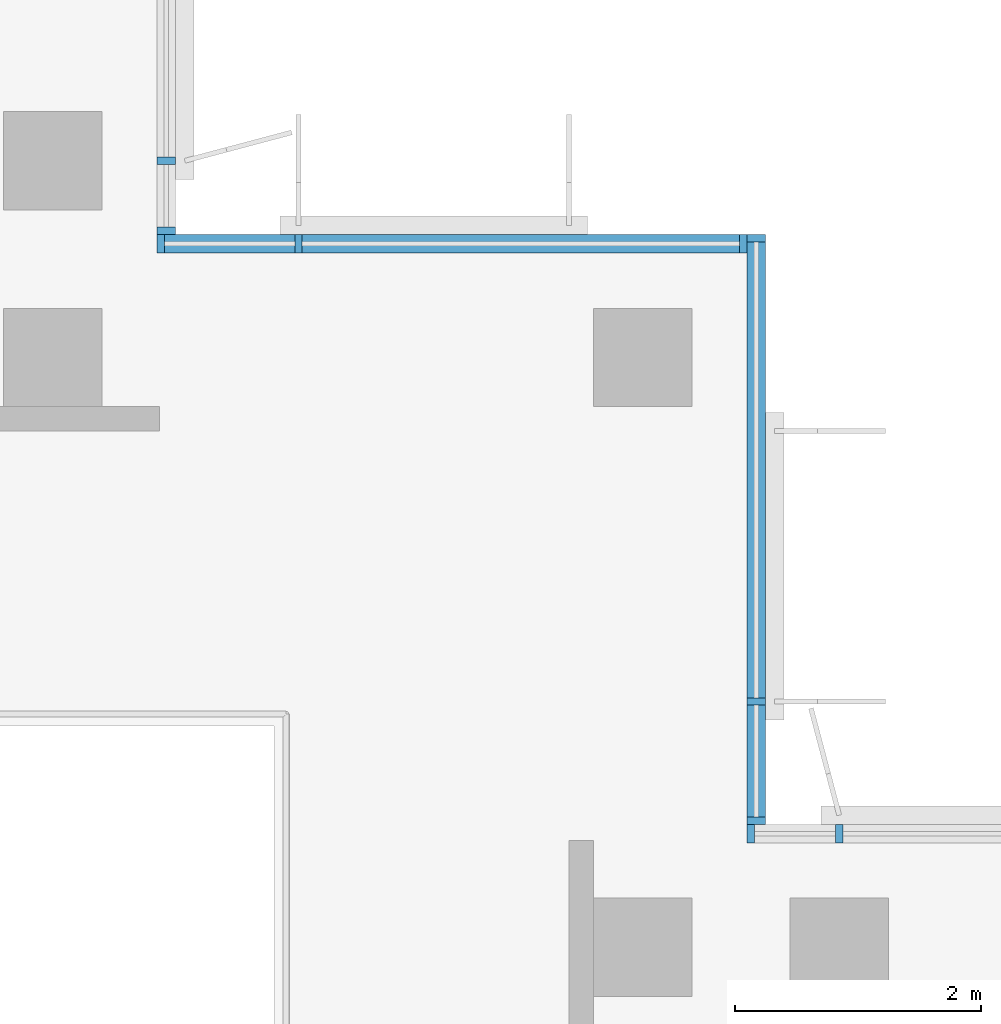
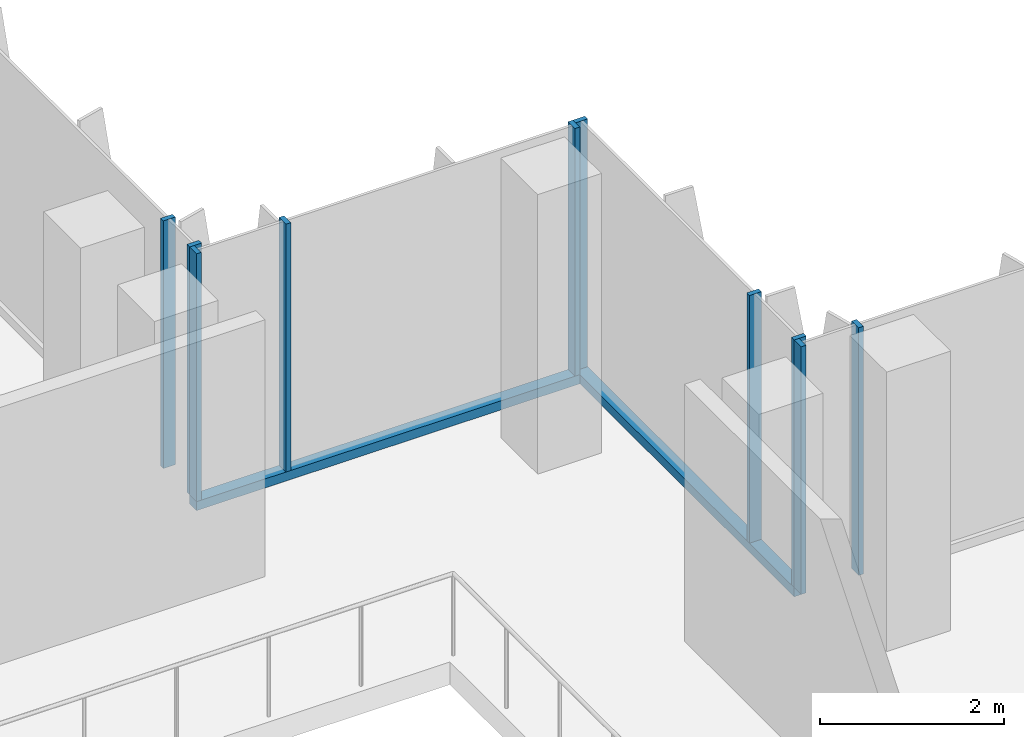
# One storey, part 2 of 15: 12 members, 4 elements without a shape of their own.
"""IFC4 building model written with IfcOpenShell, lengths in metres."""

from ifc_helpers import new_model, si_unit, direction, frame, origin, origin_2d, place, context, subcontext, project, spatial, rectangle, extrude, source, transform, mapped, material, material_profile, profile_set, type_object, element, aggregate, save


model = new_model("IFC4")

# Units and contexts
model_context = context("Model", 3, precision=1e-05, world=origin(), true_north=direction((0.0, 1.0)))
body_context = subcontext(model_context, "Body", "Model", "MODEL_VIEW")
ifc_project = project(units=[si_unit("LENGTHUNIT", "METRE"), si_unit("AREAUNIT", "SQUARE_METRE"), si_unit("VOLUMEUNIT", "CUBIC_METRE"), si_unit("PLANEANGLEUNIT", "RADIAN"), si_unit("MASSUNIT", "GRAM", prefix="KILO")], contexts=[model_context])

# Site, building, storey
site_placement = place(None, origin())
site = spatial("IfcSite", under=ifc_project, at=site_placement, CompositionType="ELEMENT")
building_placement = place(site_placement, origin())
building = spatial("IfcBuilding", under=site, at=building_placement, Name="Kemantara Hotel Tower", CompositionType="ELEMENT")
storey_placement = place(building_placement, frame((0.0, 0.0, 290.699951171875)))
storey = spatial("IfcBuildingStorey", under=building, at=storey_placement, Name="L73", CompositionType="ELEMENT", Elevation=290.699951171875)

# Curtain wall, member
ifc_material_1 = material(Name="Low-E tinted double insulated glass 36 mm", Category="glass")
curtain_wall_type = type_object("IfcCurtainWallType", Name="TOWER CURTAIN WALL, FRONT FACES", PredefinedType="USERDEFINED", material=ifc_material_1)
curtain_wall_1_placement = place(storey_placement, origin())
curtain_wall_1 = element("IfcCurtainWall", 1, at=curtain_wall_1_placement, inside=storey, type_object=curtain_wall_type, Name="CW4 L73 T4-R13-1", ObjectType="TOWER CURTAIN WALL, FRONT FACES", PredefinedType="USERDEFINED")
ifc_material_2 = material(Name="Aluminium 6063-T6 bronze anodised", Category="aluminium")
ifc_material_profile_1 = material_profile(ifc_material_2, rectangle(XDim=0.14990234375, YDim=0.1201171875, at=origin_2d()), Name="TOWER CURTAIN WALL, FRONT FACES TRANSOM")
ifc_profile_set_1 = profile_set([ifc_material_profile_1], Name="Aluminium 6063-T6 bronze anodised")
member_type_1 = type_object("IfcMemberType", Name="TOWER CURTAIN WALL, FRONT FACES TRANSOM", PredefinedType="USERDEFINED", material=ifc_profile_set_1)
member_1_placement = place(storey_placement, frame((26.72509765625, 22.0, 0.06005859375), z_axis=(0.0, 1.0, 0.0), x_axis=(-1.0, 0.0, 0.0)))
member_1 = element("IfcMember", 2, at=member_1_placement, type_object=member_type_1, Name="CW4 sill transom T4-R13-1", ObjectType="TRANSOM", PredefinedType="USERDEFINED", context=body_context, shape_type="SweptSolid", body=[
    extrude(rectangle(XDim=0.14990234375, YDim=0.1201171875, at=origin_2d()), origin(), (0.0, 0.0, 1.0), 4.800048828125),
])

curtain_wall_2_placement = place(storey_placement, origin())
curtain_wall_2 = element("IfcCurtainWall", 3, at=curtain_wall_2_placement, inside=storey, type_object=curtain_wall_type, Name="CW4 L73 T4-R14-1", ObjectType="TOWER CURTAIN WALL, FRONT FACES", PredefinedType="USERDEFINED")
member_2_placement = place(storey_placement, frame((26.64990234375, 26.72509765625, 0.06005859375), z_axis=(-1.0, 0.0, 0.0), x_axis=(0.0, -1.0, 0.0)))
member_2 = element("IfcMember", 4, at=member_2_placement, type_object=member_type_1, Name="CW4 sill transom T4-R14-1", ObjectType="TRANSOM", PredefinedType="USERDEFINED", context=body_context, shape_type="SweptSolid", body=[
    extrude(rectangle(XDim=0.14990234375, YDim=0.1201171875, at=origin_2d()), origin(), (0.0, 0.0, 1.0), 4.7998046875),
])

# Curtain wall, members
curtain_wall_3_placement = place(storey_placement, origin())
curtain_wall_3 = element("IfcCurtainWall", 5, at=curtain_wall_3_placement, inside=storey, type_object=curtain_wall_type, Name="CW4 L73 T4-R12-1", ObjectType="TOWER CURTAIN WALL, FRONT FACES", PredefinedType="USERDEFINED")
ifc_material_profile_2 = material_profile(ifc_material_2, rectangle(XDim=0.14990234375, YDim=0.06005859375, at=origin_2d()), Name="TOWER CURTAIN WALL, FRONT FACES MULLION")
ifc_profile_set_2 = profile_set([ifc_material_profile_2], Name="Aluminium 6063-T6 bronze anodised")
member_type_2 = type_object("IfcMemberType", Name="TOWER CURTAIN WALL, FRONT FACES MULLION", PredefinedType="MULLION", material=ifc_profile_set_2)
shared_shape = source(origin(), body_context, "Body", "SweptSolid", [
    extrude(rectangle(XDim=0.14990234375, YDim=0.06005859375, at=origin_2d()), origin(), (0.0, 0.0, 1.0), 3.280029296875),
])
member_3_placement = place(storey_placement, frame((27.39990234375, 21.925048828125, 0.1201171875), z_axis=(0.0, 0.0, 1.0), x_axis=(0.0, -1.0, 0.0)))
member_3 = element("IfcMember", 6, at=member_3_placement, type_object=member_type_2, Name="CW4 mullion T4-R12-1.5", PredefinedType="MULLION", context=body_context, shape_type="MappedRepresentation", body=[
    mapped(shared_shape, transform((0.0, 0.0, 0.0))),
])
member_4_placement = place(storey_placement, frame((26.679931640625, 21.925048828125, 0.1201171875), z_axis=(0.0, 0.0, 1.0), x_axis=(0.0, -1.0, 0.0)))
member_4 = element("IfcMember", 7, at=member_4_placement, type_object=member_type_2, Name="CW4 mullion T4-R12-1.6", PredefinedType="MULLION", context=body_context, shape_type="MappedRepresentation", body=[
    mapped(shared_shape, transform((0.0, 0.0, 0.0))),
])
aggregate(curtain_wall_3, [member_3, member_4])

# Member
member_5_placement = place(storey_placement, frame((26.72509765625, 22.030029296875, 0.1201171875), z_axis=(0.0, 0.0, 1.0), x_axis=(-1.0, 0.0, 0.0)))
member_5 = element("IfcMember", 8, at=member_5_placement, type_object=member_type_2, Name="CW4 mullion T4-R13-1.1", PredefinedType="MULLION", context=body_context, shape_type="MappedRepresentation", body=[
    mapped(shared_shape, transform((0.0, 0.0, 0.0))),
])

member_6_placement = place(storey_placement, frame((26.72509765625, 23.0, 0.1201171875), z_axis=(0.0, 0.0, 1.0), x_axis=(-1.0, 0.0, 0.0)))
member_6 = element("IfcMember", 9, at=member_6_placement, type_object=member_type_2, Name="CW4 mullion T4-R13-1.2", PredefinedType="MULLION", context=body_context, shape_type="MappedRepresentation", body=[
    mapped(shared_shape, transform((0.0, 0.0, 0.0))),
])

member_7_placement = place(storey_placement, frame((26.72509765625, 26.77001953125, 0.1201171875), z_axis=(0.0, 0.0, 1.0), x_axis=(-1.0, 0.0, 0.0)))
member_7 = element("IfcMember", 10, at=member_7_placement, type_object=member_type_2, Name="CW4 mullion T4-R13-1.3", PredefinedType="MULLION", context=body_context, shape_type="MappedRepresentation", body=[
    mapped(shared_shape, transform((0.0, 0.0, 0.0))),
])

aggregate(curtain_wall_1, [member_1, member_5, member_6, member_7])

member_8_placement = place(storey_placement, frame((26.6201171875, 26.72509765625, 0.1201171875), z_axis=(0.0, 0.0, 1.0), x_axis=(0.0, -1.0, 0.0)))
member_8 = element("IfcMember", 11, at=member_8_placement, type_object=member_type_2, Name="CW4 mullion T4-R14-1.1", PredefinedType="MULLION", context=body_context, shape_type="MappedRepresentation", body=[
    mapped(shared_shape, transform((0.0, 0.0, 0.0))),
])

member_9_placement = place(storey_placement, frame((23.0, 26.72509765625, 0.1201171875), z_axis=(0.0, 0.0, 1.0), x_axis=(0.0, -1.0, 0.0)))
member_9 = element("IfcMember", 12, at=member_9_placement, type_object=member_type_2, Name="CW4 mullion T4-R14-1.2", PredefinedType="MULLION", context=body_context, shape_type="MappedRepresentation", body=[
    mapped(shared_shape, transform((0.0, 0.0, 0.0))),
])

member_10_placement = place(storey_placement, frame((21.8798828125, 26.72509765625, 0.1201171875), z_axis=(0.0, 0.0, 1.0), x_axis=(0.0, -1.0, 0.0)))
member_10 = element("IfcMember", 13, at=member_10_placement, type_object=member_type_2, Name="CW4 mullion T4-R14-1.3", PredefinedType="MULLION", context=body_context, shape_type="MappedRepresentation", body=[
    mapped(shared_shape, transform((0.0, 0.0, 0.0))),
])

aggregate(curtain_wall_2, [member_2, member_8, member_9, member_10])

# Curtain wall, members
curtain_wall_4_placement = place(storey_placement, origin())
curtain_wall_4 = element("IfcCurtainWall", 14, at=curtain_wall_4_placement, inside=storey, type_object=curtain_wall_type, Name="CW4 L73 T4-R15-1", ObjectType="TOWER CURTAIN WALL, FRONT FACES", PredefinedType="USERDEFINED")
member_11_placement = place(storey_placement, frame((21.925048828125, 26.830078125, 0.1201171875), z_axis=(0.0, 0.0, 1.0), x_axis=(-1.0, 0.0, 0.0)))
member_11 = element("IfcMember", 15, at=member_11_placement, type_object=member_type_2, Name="CW4 mullion T4-R15-1.1", PredefinedType="MULLION", context=body_context, shape_type="MappedRepresentation", body=[
    mapped(shared_shape, transform((0.0, 0.0, 0.0))),
])
member_12_placement = place(storey_placement, frame((21.925048828125, 27.39990234375, 0.1201171875), z_axis=(0.0, 0.0, 1.0), x_axis=(-1.0, 0.0, 0.0)))
member_12 = element("IfcMember", 16, at=member_12_placement, type_object=member_type_2, Name="CW4 mullion T4-R15-1.2", PredefinedType="MULLION", context=body_context, shape_type="MappedRepresentation", body=[
    mapped(shared_shape, transform((0.0, 0.0, 0.0))),
])
aggregate(curtain_wall_4, [member_11, member_12])

save(model, "model.ifc")
